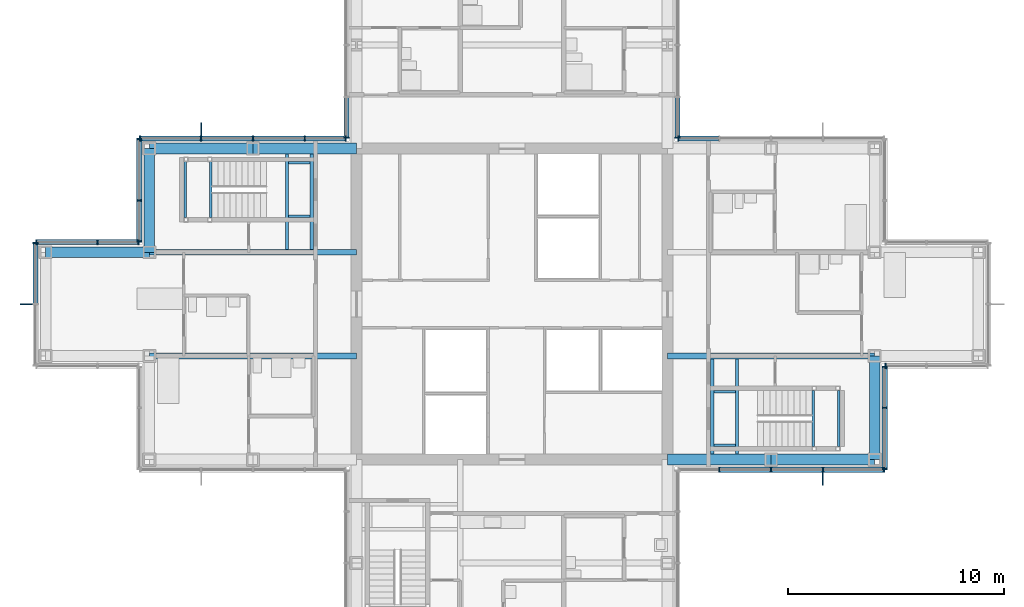
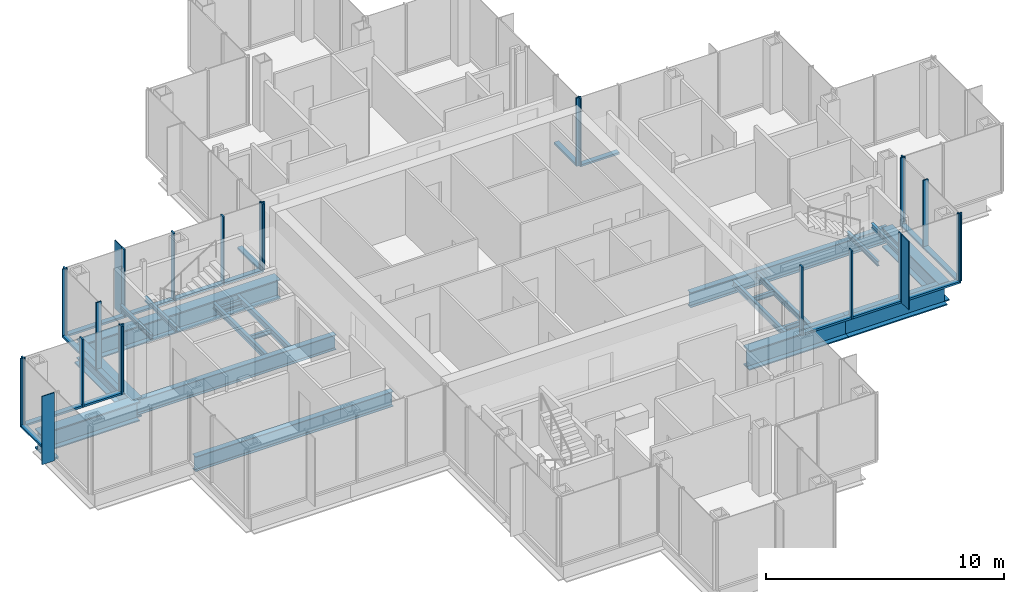
# One storey, part 7 of 17: 43 members, 22 beams, 10 elements without a shape of their own.
"""IFC4 building model written with IfcOpenShell, lengths in metres."""

import ifcopenshell
import ifcopenshell.guid

model = None  # the IFC model being written
_history = None  # IfcOwnerHistory: only IFC2X3 demands one
_inside = {}  # id of a spatial element -> (the spatial element, [elements in it])
_under = {}  # id of a project, library or spatial element -> (it, [spatial elements below it])
_declared = {}  # id of a project -> (the project, [libraries it declares])
_typed = {}  # id of a type object -> (the type object, [elements of that type])
_made_of = {}  # id of a material, layer set ... -> (it, [elements and type objects made of it])


def new_model(schema):
    """Start an empty IFC model of exactly this schema.

    Asked for "IFC4X3", IfcOpenShell would pick the latest addendum, in which some entities
    have other attributes; the version numbers below select the first issue.
    IFC2X3 requires an IfcOwnerHistory on every rooted entity: one is made here for all.
    """
    global model, _history
    if schema == "IFC4X3":
        model = ifcopenshell.file(schema_version=(4, 3, 0, 0))
    else:
        model = ifcopenshell.file(schema=schema)
    _inside.clear()
    _under.clear()
    _declared.clear()
    _typed.clear()
    _made_of.clear()
    _history = None
    if model.schema == "IFC2X3":
        org = make("IfcOrganization", Name="unknown")
        user = make(
            "IfcPersonAndOrganization",
            ThePerson=make("IfcPerson", FamilyName="unknown"),
            TheOrganization=org,
        )
        app = make(
            "IfcApplication",
            ApplicationDeveloper=org,
            Version="unknown",
            ApplicationFullName="unknown",
            ApplicationIdentifier="unknown",
        )
        _history = make(
            "IfcOwnerHistory",
            OwningUser=user,
            OwningApplication=app,
            ChangeAction="ADDED",
            CreationDate=0,
        )
    return model


def make(cls, **values):
    """One entity of the class cls with the attributes given. An attribute that is None is left unset."""
    return model.create_entity(
        cls, **{name: value for name, value in values.items() if value is not None}
    )


def rooted(cls, **values):
    """An entity with a GlobalId (a new one), such as an element, a storey or a relation."""
    return make(cls, GlobalId=ifcopenshell.guid.new(), OwnerHistory=_history, **values)


def si_unit(unit_type, name, prefix=None):
    """IfcSIUnit, for example si_unit("LENGTHUNIT", "METRE", prefix="MILLI")."""
    return make("IfcSIUnit", UnitType=unit_type, Prefix=prefix, Name=name)


def assignment(units):
    """IfcUnitAssignment: the units of a project."""
    return None if units is None else make("IfcUnitAssignment", Units=units)


def point(xyz):
    """IfcCartesianPoint."""
    return None if xyz is None else make("IfcCartesianPoint", Coordinates=xyz)


def direction(xyz):
    """IfcDirection."""
    return None if xyz is None else make("IfcDirection", DirectionRatios=xyz)


def frame(location, z_axis=None, x_axis=None):
    """IfcAxis2Placement3D, a coordinate frame: its origin and axes. An axis left out is left unset."""
    return make(
        "IfcAxis2Placement3D",
        Location=point(location),
        Axis=direction(z_axis),
        RefDirection=direction(x_axis),
    )


def frame_2d(location, x_axis=None):
    """IfcAxis2Placement2D, a coordinate frame in the plane: its origin and x axis."""
    return make(
        "IfcAxis2Placement2D", Location=point(location), RefDirection=direction(x_axis)
    )


def origin():
    """The frame at (0, 0, 0) with its axes left unset."""
    return frame((0.0, 0.0, 0.0))


def origin_2d():
    """The frame at (0, 0) in the plane with its x axis left unset."""
    return frame_2d((0.0, 0.0))


def place(relative_to, where):
    """IfcLocalPlacement: puts the frame where relative to a parent placement (None: the world)."""
    return make(
        "IfcLocalPlacement", PlacementRelTo=relative_to, RelativePlacement=where
    )


def context(
    kind, dimensions, precision=None, world=None, true_north=None, identifier=None
):
    """IfcGeometricRepresentationContext, for example the 3D "Model" context."""
    return make(
        "IfcGeometricRepresentationContext",
        ContextIdentifier=identifier,
        ContextType=kind,
        CoordinateSpaceDimension=dimensions,
        Precision=precision,
        WorldCoordinateSystem=world,
        TrueNorth=true_north,
    )


def subcontext(parent, identifier, kind, view, scale=None):
    """IfcGeometricRepresentationSubContext, for example "Body" below "Model"."""
    return make(
        "IfcGeometricRepresentationSubContext",
        ContextIdentifier=identifier,
        ContextType=kind,
        ParentContext=parent,
        TargetScale=scale,
        TargetView=view,
    )


def project(units=None, contexts=None):
    """IfcProject with its units and contexts."""
    return rooted(
        "IfcProject",
        Name="project",
        RepresentationContexts=contexts,
        UnitsInContext=assignment(units),
    )


def spatial(cls, under=None, at=None, **own):
    """A site, building, storey or space (cls), placed at a placement, below another one or the project."""
    s = rooted(cls, ObjectPlacement=at, **own)
    if under is not None:
        _under.setdefault(under.id(), (under, []))[1].append(s)
    return s


def profile(cls, at=None, kind="AREA", **sizes):
    """A parametric profile (cls). Its sizes go by their IFC names, for example OverallWidth=200.0."""
    return make(cls, ProfileType=kind, Position=at, **sizes)


def rectangle(**sizes):
    """IfcRectangleProfileDef."""
    return profile("IfcRectangleProfileDef", **sizes)


def i_section(**sizes):
    """IfcIShapeProfileDef."""
    return profile("IfcIShapeProfileDef", **sizes)


def extrude(swept, where, along, depth):
    """IfcExtrudedAreaSolid: the profile swept, set in the frame where, extruded along a direction by depth."""
    return make(
        "IfcExtrudedAreaSolid",
        SweptArea=swept,
        Position=where,
        ExtrudedDirection=direction(along),
        Depth=depth,
    )


def shape(context_of_items, identifier, shape_type, items):
    """IfcShapeRepresentation: the items that make up one representation, for example the "Body"."""
    return make(
        "IfcShapeRepresentation",
        ContextOfItems=context_of_items,
        RepresentationIdentifier=identifier,
        RepresentationType=shape_type,
        Items=items,
    )


def material(Name=None, Category=None):
    """IfcMaterial."""
    return make("IfcMaterial", Name=Name, Category=Category)


def material_profile(
    of_material, cross_section, Name=None, Category=None, Priority=None
):
    """IfcMaterialProfile: a cross section and its material."""
    return make(
        "IfcMaterialProfile",
        Name=Name,
        Material=of_material,
        Profile=cross_section,
        Priority=Priority,
        Category=Category,
    )


def profile_set(profiles, Name=None, composite=None):
    """IfcMaterialProfileSet."""
    return make(
        "IfcMaterialProfileSet",
        Name=Name,
        MaterialProfiles=profiles,
        CompositeProfile=composite,
    )


def made_of(thing, what):
    """Note that an element or type object is made of a material, layer set ...; save() writes the relation."""
    if what is not None:
        _made_of.setdefault(what.id(), (what, []))[1].append(thing)
    return thing


def type_object(cls, material=None, **own):
    """A type object (cls), such as IfcWallType, which elements share."""
    return made_of(rooted(cls, **own), material)


def element(
    cls,
    number,
    at=None,
    inside=None,
    cuts=None,
    type_object=None,
    material=None,
    context=None,
    identifier="Body",
    shape_type=None,
    held_by="IfcProductDefinitionShape",
    body=None,
    shapes=None,
    **own,
):
    """One element of the class cls, such as IfcWall. Its Tag is "e" and its number.

    at: its placement. inside: the storey or other place that contains it. cuts: it is an
    opening in that element (IfcRelVoidsElement). A single representation is given by context,
    identifier, shape_type and body (its items); several are given by shapes. held_by: the class
    of the entity that holds the representations. save() writes the other relations.
    """
    e = rooted(cls, Tag="e%d" % number, ObjectPlacement=at, **own)
    if body is not None:
        shapes = [shape(context, identifier, shape_type, body)]
    if shapes is not None:
        e.Representation = make(held_by, Representations=shapes)
    if inside is not None:
        _inside.setdefault(inside.id(), (inside, []))[1].append(e)
    if cuts is not None:
        rooted(
            "IfcRelVoidsElement", RelatingBuildingElement=cuts, RelatedOpeningElement=e
        )
    if type_object is not None:
        _typed.setdefault(type_object.id(), (type_object, []))[1].append(e)
    return made_of(e, material)


def aggregate(whole, parts):
    """IfcRelAggregates: a whole, such as a stair, and the parts it consists of."""
    return rooted("IfcRelAggregates", RelatingObject=whole, RelatedObjects=parts)


def save(model, path):
    """Write the relations noted so far, then the file.

    IfcRelAggregates (storeys below a building ...), IfcRelContainedInSpatialStructure (elements
    in a storey), IfcRelDefinesByType, IfcRelAssociatesMaterial and IfcRelDeclares: one each for
    every whole, place, type object, material and project.
    """
    for whole, parts in _under.values():
        aggregate(whole, parts)
    for where, things in _inside.values():
        rooted(
            "IfcRelContainedInSpatialStructure",
            RelatedElements=things,
            RelatingStructure=where,
        )
    for kind, things in _typed.values():
        rooted("IfcRelDefinesByType", RelatedObjects=things, RelatingType=kind)
    for what, things in _made_of.values():
        rooted("IfcRelAssociatesMaterial", RelatedObjects=things, RelatingMaterial=what)
    for by, libraries in _declared.values():
        rooted("IfcRelDeclares", RelatingContext=by, RelatedDefinitions=libraries)
    model.write(path)


model = new_model("IFC4")

# Units and contexts
model_context = context("Model", 3, precision=1e-05, world=origin(), true_north=direction((0.0, 1.0)))
body_context = subcontext(model_context, "Body", "Model", "MODEL_VIEW")
ifc_project = project(units=[si_unit("LENGTHUNIT", "METRE"), si_unit("AREAUNIT", "SQUARE_METRE"), si_unit("VOLUMEUNIT", "CUBIC_METRE"), si_unit("PLANEANGLEUNIT", "RADIAN"), si_unit("MASSUNIT", "GRAM", prefix="KILO")], contexts=[model_context])

# Site, building, storey
site_placement = place(None, origin())
site = spatial("IfcSite", under=ifc_project, at=site_placement, CompositionType="ELEMENT")
building_placement = place(site_placement, origin())
building = spatial("IfcBuilding", under=site, at=building_placement, Name="Kvirike Care Tower", CompositionType="ELEMENT")
storey_placement = place(building_placement, frame((0.0, 0.0, 144.5)))
storey = spatial("IfcBuildingStorey", under=building, at=storey_placement, Name="L39", CompositionType="ELEMENT", Elevation=144.5)

# Curtain wall, member
ifc_material_1 = material(Name="Anodised aluminium stick system", Category="aluminium")
curtain_wall_type = type_object("IfcCurtainWallType", Name="CW-C STICK CURTAIN WALL", PredefinedType="NOTDEFINED", material=ifc_material_1)
curtain_wall_1_placement = place(storey_placement, origin())
curtain_wall_1 = element("IfcCurtainWall", 1, at=curtain_wall_1_placement, inside=storey, type_object=curtain_wall_type, Name="Curtain wall L39 face 1", PredefinedType="NOTDEFINED")
ifc_material_2 = material(Name="Bronze anodised aluminium fin", Category="aluminium")
ifc_material_profile_1 = material_profile(ifc_material_2, rectangle(XDim=0.050048828125, YDim=0.60009765625, at=origin_2d()), Name="BRONZE FIN 600")
ifc_profile_set_1 = profile_set([ifc_material_profile_1], Name="Bronze anodised aluminium fin")
member_type_1 = type_object("IfcMemberType", Name="BRONZE FIN 600", PredefinedType="USERDEFINED", material=ifc_profile_set_1)
member_1_placement = place(storey_placement, frame((36.0, 27.909912109375, 0.0), z_axis=(0.0, 0.0, 1.0), x_axis=(1.0, 0.0, 0.0)))
member_1 = element("IfcMember", 2, at=member_1_placement, type_object=member_type_1, Name="Bronze fin L39 face 1.4", ObjectType="FIN", PredefinedType="USERDEFINED", context=body_context, shape_type="SweptSolid", body=[
    extrude(rectangle(XDim=0.050048828125, YDim=0.60009765625, at=origin_2d()), origin(), (0.0, 0.0, 1.0), 3.5),
])

curtain_wall_2_placement = place(storey_placement, origin())
curtain_wall_2 = element("IfcCurtainWall", 3, at=curtain_wall_2_placement, inside=storey, type_object=curtain_wall_type, Name="Curtain wall L39 face 15", PredefinedType="NOTDEFINED")
member_2_placement = place(storey_placement, frame((7.199951171875, 44.090087890625, 0.0), z_axis=(0.0, 0.0, 1.0), x_axis=(-1.0, 0.0, 0.0)))
member_2 = element("IfcMember", 4, at=member_2_placement, type_object=member_type_1, Name="Bronze fin L39 face 15.4", ObjectType="FIN", PredefinedType="USERDEFINED", context=body_context, shape_type="SweptSolid", body=[
    extrude(rectangle(XDim=0.050048828125, YDim=0.60009765625, at=origin_2d()), origin(), (0.0, 0.0, 1.0), 3.5),
])

curtain_wall_3_placement = place(storey_placement, origin())
curtain_wall_3 = element("IfcCurtainWall", 5, at=curtain_wall_3_placement, inside=storey, type_object=curtain_wall_type, Name="Curtain wall L39 face 18", PredefinedType="NOTDEFINED")
member_3_placement = place(storey_placement, frame((-0.889892578125, 36.0, 0.0), z_axis=(0.0, 0.0, 1.0), x_axis=(0.0, -1.0, 0.0)))
member_3 = element("IfcMember", 6, at=member_3_placement, type_object=member_type_1, Name="Bronze fin L39 face 18.2", ObjectType="FIN", PredefinedType="USERDEFINED", context=body_context, shape_type="SweptSolid", body=[
    extrude(rectangle(XDim=0.050048828125, YDim=0.60009765625, at=origin_2d()), origin(), (0.0, 0.0, 1.0), 3.5),
])

# Member
ifc_material_3 = material(Name="Bronze anodised aluminium mullion", Category="aluminium")
ifc_material_profile_2 = material_profile(ifc_material_3, rectangle(XDim=0.06494140625, YDim=0.239990234375, at=origin_2d()), Name="CW-C MULLION 65x240")
ifc_profile_set_2 = profile_set([ifc_material_profile_2], Name="Bronze anodised aluminium mullion")
member_type_2 = type_object("IfcMemberType", Name="CW-C MULLION 65x240", PredefinedType="MULLION", material=ifc_profile_set_2)
member_4_placement = place(storey_placement, frame((31.199951171875, 28.330078125, 0.0), z_axis=(0.0, 0.0, 1.0), x_axis=(1.0, 0.0, 0.0)))
member_4 = element("IfcMember", 7, at=member_4_placement, type_object=member_type_2, Name="CW-C mullion L39 face 1.2", PredefinedType="MULLION", context=body_context, shape_type="SweptSolid", body=[
    extrude(rectangle(XDim=0.06494140625, YDim=0.239990234375, at=origin_2d()), origin(), (0.0, 0.0, 1.0), 3.5),
])

member_5_placement = place(storey_placement, frame((33.60009765625, 28.330078125, 0.0), z_axis=(0.0, 0.0, 1.0), x_axis=(1.0, 0.0, 0.0)))
member_5 = element("IfcMember", 8, at=member_5_placement, type_object=member_type_2, Name="CW-C mullion L39 face 1.3", PredefinedType="MULLION", context=body_context, shape_type="SweptSolid", body=[
    extrude(rectangle(XDim=0.06494140625, YDim=0.239990234375, at=origin_2d()), origin(), (0.0, 0.0, 1.0), 3.5),
])

member_6_placement = place(storey_placement, frame((36.0, 28.330078125, 0.0), z_axis=(0.0, 0.0, 1.0), x_axis=(1.0, 0.0, 0.0)))
member_6 = element("IfcMember", 9, at=member_6_placement, type_object=member_type_2, Name="CW-C mullion L39 face 1.4", PredefinedType="MULLION", context=body_context, shape_type="SweptSolid", body=[
    extrude(rectangle(XDim=0.06494140625, YDim=0.239990234375, at=origin_2d()), origin(), (0.0, 0.0, 1.0), 3.5),
])

member_7_placement = place(storey_placement, frame((38.83740234375, 28.330078125, 0.0), z_axis=(0.0, 0.0, 1.0), x_axis=(1.0, 0.0, 0.0)))
member_7 = element("IfcMember", 10, at=member_7_placement, type_object=member_type_2, Name="CW-C mullion L39 face 1.5", PredefinedType="MULLION", context=body_context, shape_type="SweptSolid", body=[
    extrude(rectangle(XDim=0.06494140625, YDim=0.239990234375, at=origin_2d()), origin(), (0.0, 0.0, 1.0), 3.5),
])

# Curtain wall, members
curtain_wall_4_placement = place(storey_placement, origin())
curtain_wall_4 = element("IfcCurtainWall", 11, at=curtain_wall_4_placement, inside=storey, type_object=curtain_wall_type, Name="Curtain wall L39 face 2", PredefinedType="NOTDEFINED")
member_8_placement = place(storey_placement, frame((38.8701171875, 28.362548828125, 0.0), z_axis=(0.0, 0.0, 1.0), x_axis=(0.0, 1.0, 0.0)))
member_8 = element("IfcMember", 12, at=member_8_placement, type_object=member_type_2, Name="CW-C mullion L39 face 2.1", PredefinedType="MULLION", context=body_context, shape_type="SweptSolid", body=[
    extrude(rectangle(XDim=0.06494140625, YDim=0.239990234375, at=origin_2d()), origin(), (0.0, 0.0, 1.0), 3.5),
])
member_9_placement = place(storey_placement, frame((38.8701171875, 31.199951171875, 0.0), z_axis=(0.0, 0.0, 1.0), x_axis=(0.0, 1.0, 0.0)))
member_9 = element("IfcMember", 13, at=member_9_placement, type_object=member_type_2, Name="CW-C mullion L39 face 2.2", PredefinedType="MULLION", context=body_context, shape_type="SweptSolid", body=[
    extrude(rectangle(XDim=0.06494140625, YDim=0.239990234375, at=origin_2d()), origin(), (0.0, 0.0, 1.0), 3.5),
])
member_10_placement = place(storey_placement, frame((38.8701171875, 33.097412109375, 0.0), z_axis=(0.0, 0.0, 1.0), x_axis=(0.0, 1.0, 0.0)))
member_10 = element("IfcMember", 14, at=member_10_placement, type_object=member_type_2, Name="CW-C mullion L39 face 2.3", PredefinedType="MULLION", context=body_context, shape_type="SweptSolid", body=[
    extrude(rectangle(XDim=0.06494140625, YDim=0.239990234375, at=origin_2d()), origin(), (0.0, 0.0, 1.0), 3.5),
])

# Curtain wall, member
curtain_wall_5_placement = place(storey_placement, origin())
curtain_wall_5 = element("IfcCurtainWall", 15, at=curtain_wall_5_placement, inside=storey, type_object=curtain_wall_type, Name="Curtain wall L39 face 3", PredefinedType="NOTDEFINED")
member_11_placement = place(storey_placement, frame((38.902587890625, 33.1298828125, 0.0), z_axis=(0.0, 0.0, 1.0), x_axis=(1.0, 0.0, 0.0)))
member_11 = element("IfcMember", 16, at=member_11_placement, type_object=member_type_2, Name="CW-C mullion L39 face 3.1", PredefinedType="MULLION", context=body_context, shape_type="SweptSolid", body=[
    extrude(rectangle(XDim=0.06494140625, YDim=0.239990234375, at=origin_2d()), origin(), (0.0, 0.0, 1.0), 3.5),
])
aggregate(curtain_wall_5, [member_11])

curtain_wall_6_placement = place(storey_placement, origin())
curtain_wall_6 = element("IfcCurtainWall", 17, at=curtain_wall_6_placement, inside=storey, type_object=curtain_wall_type, Name="Curtain wall L39 face 7", PredefinedType="NOTDEFINED")
member_12_placement = place(storey_placement, frame((29.302490234375, 43.669921875, 0.0), z_axis=(0.0, 0.0, 1.0), x_axis=(-1.0, 0.0, 0.0)))
member_12 = element("IfcMember", 18, at=member_12_placement, type_object=member_type_2, Name="CW-C mullion L39 face 7.5", PredefinedType="MULLION", context=body_context, shape_type="SweptSolid", body=[
    extrude(rectangle(XDim=0.06494140625, YDim=0.239990234375, at=origin_2d()), origin(), (0.0, 0.0, 1.0), 3.5),
])

curtain_wall_7_placement = place(storey_placement, origin())
curtain_wall_7 = element("IfcCurtainWall", 19, at=curtain_wall_7_placement, inside=storey, type_object=curtain_wall_type, Name="Curtain wall L39 face 8", PredefinedType="NOTDEFINED")
member_13_placement = place(storey_placement, frame((29.27001953125, 43.702392578125, 0.0), z_axis=(0.0, 0.0, 1.0), x_axis=(0.0, 1.0, 0.0)))
member_13 = element("IfcMember", 20, at=member_13_placement, type_object=member_type_2, Name="CW-C mullion L39 face 8.1", PredefinedType="MULLION", context=body_context, shape_type="SweptSolid", body=[
    extrude(rectangle(XDim=0.06494140625, YDim=0.239990234375, at=origin_2d()), origin(), (0.0, 0.0, 1.0), 3.5),
])

curtain_wall_8_placement = place(storey_placement, origin())
curtain_wall_8 = element("IfcCurtainWall", 21, at=curtain_wall_8_placement, inside=storey, type_object=curtain_wall_type, Name="Curtain wall L39 face 14", PredefinedType="NOTDEFINED")
member_14_placement = place(storey_placement, frame((13.929931640625, 43.702392578125, 0.0), z_axis=(0.0, 0.0, 1.0), x_axis=(0.0, -1.0, 0.0)))
member_14 = element("IfcMember", 22, at=member_14_placement, type_object=member_type_2, Name="CW-C mullion L39 face 14.5", PredefinedType="MULLION", context=body_context, shape_type="SweptSolid", body=[
    extrude(rectangle(XDim=0.06494140625, YDim=0.239990234375, at=origin_2d()), origin(), (0.0, 0.0, 1.0), 3.5),
])

# Member
member_15_placement = place(storey_placement, frame((13.8974609375, 43.669921875, 0.0), z_axis=(0.0, 0.0, 1.0), x_axis=(-1.0, 0.0, 0.0)))
member_15 = element("IfcMember", 23, at=member_15_placement, type_object=member_type_2, Name="CW-C mullion L39 face 15.1", PredefinedType="MULLION", context=body_context, shape_type="SweptSolid", body=[
    extrude(rectangle(XDim=0.06494140625, YDim=0.239990234375, at=origin_2d()), origin(), (0.0, 0.0, 1.0), 3.5),
])

member_16_placement = place(storey_placement, frame((12.0, 43.669921875, 0.0), z_axis=(0.0, 0.0, 1.0), x_axis=(-1.0, 0.0, 0.0)))
member_16 = element("IfcMember", 24, at=member_16_placement, type_object=member_type_2, Name="CW-C mullion L39 face 15.2", PredefinedType="MULLION", context=body_context, shape_type="SweptSolid", body=[
    extrude(rectangle(XDim=0.06494140625, YDim=0.239990234375, at=origin_2d()), origin(), (0.0, 0.0, 1.0), 3.5),
])

member_17_placement = place(storey_placement, frame((9.60009765625, 43.669921875, 0.0), z_axis=(0.0, 0.0, 1.0), x_axis=(-1.0, 0.0, 0.0)))
member_17 = element("IfcMember", 25, at=member_17_placement, type_object=member_type_2, Name="CW-C mullion L39 face 15.3", PredefinedType="MULLION", context=body_context, shape_type="SweptSolid", body=[
    extrude(rectangle(XDim=0.06494140625, YDim=0.239990234375, at=origin_2d()), origin(), (0.0, 0.0, 1.0), 3.5),
])

member_18_placement = place(storey_placement, frame((7.199951171875, 43.669921875, 0.0), z_axis=(0.0, 0.0, 1.0), x_axis=(-1.0, 0.0, 0.0)))
member_18 = element("IfcMember", 26, at=member_18_placement, type_object=member_type_2, Name="CW-C mullion L39 face 15.4", PredefinedType="MULLION", context=body_context, shape_type="SweptSolid", body=[
    extrude(rectangle(XDim=0.06494140625, YDim=0.239990234375, at=origin_2d()), origin(), (0.0, 0.0, 1.0), 3.5),
])

member_19_placement = place(storey_placement, frame((4.362548828125, 43.669921875, 0.0), z_axis=(0.0, 0.0, 1.0), x_axis=(-1.0, 0.0, 0.0)))
member_19 = element("IfcMember", 27, at=member_19_placement, type_object=member_type_2, Name="CW-C mullion L39 face 15.5", PredefinedType="MULLION", context=body_context, shape_type="SweptSolid", body=[
    extrude(rectangle(XDim=0.06494140625, YDim=0.239990234375, at=origin_2d()), origin(), (0.0, 0.0, 1.0), 3.5),
])

# Curtain wall, members
curtain_wall_9_placement = place(storey_placement, origin())
curtain_wall_9 = element("IfcCurtainWall", 28, at=curtain_wall_9_placement, inside=storey, type_object=curtain_wall_type, Name="Curtain wall L39 face 16", PredefinedType="NOTDEFINED")
member_20_placement = place(storey_placement, frame((4.330078125, 43.637451171875, 0.0), z_axis=(0.0, 0.0, 1.0), x_axis=(0.0, -1.0, 0.0)))
member_20 = element("IfcMember", 29, at=member_20_placement, type_object=member_type_2, Name="CW-C mullion L39 face 16.1", PredefinedType="MULLION", context=body_context, shape_type="SweptSolid", body=[
    extrude(rectangle(XDim=0.06494140625, YDim=0.239990234375, at=origin_2d()), origin(), (0.0, 0.0, 1.0), 3.5),
])
member_21_placement = place(storey_placement, frame((4.330078125, 40.800048828125, 0.0), z_axis=(0.0, 0.0, 1.0), x_axis=(0.0, -1.0, 0.0)))
member_21 = element("IfcMember", 30, at=member_21_placement, type_object=member_type_2, Name="CW-C mullion L39 face 16.2", PredefinedType="MULLION", context=body_context, shape_type="SweptSolid", body=[
    extrude(rectangle(XDim=0.06494140625, YDim=0.239990234375, at=origin_2d()), origin(), (0.0, 0.0, 1.0), 3.5),
])
member_22_placement = place(storey_placement, frame((4.330078125, 38.902587890625, 0.0), z_axis=(0.0, 0.0, 1.0), x_axis=(0.0, -1.0, 0.0)))
member_22 = element("IfcMember", 31, at=member_22_placement, type_object=member_type_2, Name="CW-C mullion L39 face 16.3", PredefinedType="MULLION", context=body_context, shape_type="SweptSolid", body=[
    extrude(rectangle(XDim=0.06494140625, YDim=0.239990234375, at=origin_2d()), origin(), (0.0, 0.0, 1.0), 3.5),
])

curtain_wall_10_placement = place(storey_placement, origin())
curtain_wall_10 = element("IfcCurtainWall", 32, at=curtain_wall_10_placement, inside=storey, type_object=curtain_wall_type, Name="Curtain wall L39 face 17", PredefinedType="NOTDEFINED")
member_23_placement = place(storey_placement, frame((4.297607421875, 38.8701171875, 0.0), z_axis=(0.0, 0.0, 1.0), x_axis=(-1.0, 0.0, 0.0)))
member_23 = element("IfcMember", 33, at=member_23_placement, type_object=member_type_2, Name="CW-C mullion L39 face 17.1", PredefinedType="MULLION", context=body_context, shape_type="SweptSolid", body=[
    extrude(rectangle(XDim=0.06494140625, YDim=0.239990234375, at=origin_2d()), origin(), (0.0, 0.0, 1.0), 3.5),
])
member_24_placement = place(storey_placement, frame((2.39990234375, 38.8701171875, 0.0), z_axis=(0.0, 0.0, 1.0), x_axis=(-1.0, 0.0, 0.0)))
member_24 = element("IfcMember", 34, at=member_24_placement, type_object=member_type_2, Name="CW-C mullion L39 face 17.2", PredefinedType="MULLION", context=body_context, shape_type="SweptSolid", body=[
    extrude(rectangle(XDim=0.06494140625, YDim=0.239990234375, at=origin_2d()), origin(), (0.0, 0.0, 1.0), 3.5),
])
member_25_placement = place(storey_placement, frame((-0.4375, 38.8701171875, 0.0), z_axis=(0.0, 0.0, 1.0), x_axis=(-1.0, 0.0, 0.0)))
member_25 = element("IfcMember", 35, at=member_25_placement, type_object=member_type_2, Name="CW-C mullion L39 face 17.3", PredefinedType="MULLION", context=body_context, shape_type="SweptSolid", body=[
    extrude(rectangle(XDim=0.06494140625, YDim=0.239990234375, at=origin_2d()), origin(), (0.0, 0.0, 1.0), 3.5),
])

# Member
member_26_placement = place(storey_placement, frame((-0.469970703125, 38.83740234375, 0.0), z_axis=(0.0, 0.0, 1.0), x_axis=(0.0, -1.0, 0.0)))
member_26 = element("IfcMember", 36, at=member_26_placement, type_object=member_type_2, Name="CW-C mullion L39 face 18.1", PredefinedType="MULLION", context=body_context, shape_type="SweptSolid", body=[
    extrude(rectangle(XDim=0.06494140625, YDim=0.239990234375, at=origin_2d()), origin(), (0.0, 0.0, 1.0), 3.5),
])

ifc_material_4 = material(Name="Bronze anodised aluminium transom", Category="aluminium")
ifc_material_profile_3 = material_profile(ifc_material_4, rectangle(XDim=0.239990234375, YDim=0.10009765625, at=origin_2d()), Name="CW-C TRANSOM 240x100")
ifc_profile_set_3 = profile_set([ifc_material_profile_3], Name="Bronze anodised aluminium transom")
member_type_3 = type_object("IfcMemberType", Name="CW-C TRANSOM 240x100", PredefinedType="USERDEFINED", material=ifc_profile_set_3)
member_27_placement = place(storey_placement, frame((31.232421875, 28.330078125, 0.050048828125), z_axis=(1.0, 0.0, 0.0), x_axis=(0.0, 1.0, 0.0)))
member_27 = element("IfcMember", 37, at=member_27_placement, type_object=member_type_3, Name="CW-C sill transom L39 face 1.2", ObjectType="TRANSOM", PredefinedType="USERDEFINED", context=body_context, shape_type="SweptSolid", body=[
    extrude(rectangle(XDim=0.239990234375, YDim=0.10009765625, at=origin_2d()), origin(), (0.0, 0.0, 1.0), 2.3349609375),
])

member_28_placement = place(storey_placement, frame((33.632568359375, 28.330078125, 0.050048828125), z_axis=(1.0, 0.0, 0.0), x_axis=(0.0, 1.0, 0.0)))
member_28 = element("IfcMember", 38, at=member_28_placement, type_object=member_type_3, Name="CW-C sill transom L39 face 1.3", ObjectType="TRANSOM", PredefinedType="USERDEFINED", context=body_context, shape_type="SweptSolid", body=[
    extrude(rectangle(XDim=0.239990234375, YDim=0.10009765625, at=origin_2d()), origin(), (0.0, 0.0, 1.0), 2.3349609375),
])

member_29_placement = place(storey_placement, frame((36.032470703125, 28.330078125, 0.050048828125), z_axis=(1.0, 0.0, 0.0), x_axis=(0.0, 1.0, 0.0)))
member_29 = element("IfcMember", 39, at=member_29_placement, type_object=member_type_3, Name="CW-C sill transom L39 face 1.4", ObjectType="TRANSOM", PredefinedType="USERDEFINED", context=body_context, shape_type="SweptSolid", body=[
    extrude(rectangle(XDim=0.239990234375, YDim=0.10009765625, at=origin_2d()), origin(), (0.0, 0.0, 1.0), 2.7724609375),
])

aggregate(curtain_wall_1, [member_4, member_5, member_6, member_1, member_7, member_27, member_28, member_29])

member_30_placement = place(storey_placement, frame((38.8701171875, 28.39501953125, 0.050048828125), z_axis=(0.0, 1.0, 0.0), x_axis=(-1.0, 0.0, 0.0)))
member_30 = element("IfcMember", 40, at=member_30_placement, type_object=member_type_3, Name="CW-C sill transom L39 face 2.1", ObjectType="TRANSOM", PredefinedType="USERDEFINED", context=body_context, shape_type="SweptSolid", body=[
    extrude(rectangle(XDim=0.239990234375, YDim=0.10009765625, at=origin_2d()), origin(), (0.0, 0.0, 1.0), 2.7724609375),
])

member_31_placement = place(storey_placement, frame((38.8701171875, 31.232421875, 0.050048828125), z_axis=(0.0, 1.0, 0.0), x_axis=(-1.0, 0.0, 0.0)))
member_31 = element("IfcMember", 41, at=member_31_placement, type_object=member_type_3, Name="CW-C sill transom L39 face 2.2", ObjectType="TRANSOM", PredefinedType="USERDEFINED", context=body_context, shape_type="SweptSolid", body=[
    extrude(rectangle(XDim=0.239990234375, YDim=0.10009765625, at=origin_2d()), origin(), (0.0, 0.0, 1.0), 1.83251953125),
])

aggregate(curtain_wall_4, [member_8, member_9, member_10, member_30, member_31])

member_32_placement = place(storey_placement, frame((31.16748046875, 43.669921875, 0.050048828125), z_axis=(-1.0, 0.0, 0.0), x_axis=(0.0, -1.0, 0.0)))
member_32 = element("IfcMember", 42, at=member_32_placement, type_object=member_type_3, Name="CW-C sill transom L39 face 7.4", ObjectType="TRANSOM", PredefinedType="USERDEFINED", context=body_context, shape_type="SweptSolid", body=[
    extrude(rectangle(XDim=0.239990234375, YDim=0.10009765625, at=origin_2d()), origin(), (0.0, 0.0, 1.0), 1.83251953125),
])

aggregate(curtain_wall_6, [member_12, member_32])

member_33_placement = place(storey_placement, frame((29.27001953125, 43.735107421875, 0.050048828125), z_axis=(0.0, 1.0, 0.0), x_axis=(-1.0, 0.0, 0.0)))
member_33 = element("IfcMember", 43, at=member_33_placement, type_object=member_type_3, Name="CW-C sill transom L39 face 8.1", ObjectType="TRANSOM", PredefinedType="USERDEFINED", context=body_context, shape_type="SweptSolid", body=[
    extrude(rectangle(XDim=0.239990234375, YDim=0.10009765625, at=origin_2d()), origin(), (0.0, 0.0, 1.0), 1.832275390625),
])

aggregate(curtain_wall_7, [member_13, member_33])

member_34_placement = place(storey_placement, frame((13.929931640625, 45.5673828125, 0.050048828125), z_axis=(0.0, -1.0, 0.0), x_axis=(1.0, 0.0, 0.0)))
member_34 = element("IfcMember", 44, at=member_34_placement, type_object=member_type_3, Name="CW-C sill transom L39 face 14.4", ObjectType="TRANSOM", PredefinedType="USERDEFINED", context=body_context, shape_type="SweptSolid", body=[
    extrude(rectangle(XDim=0.239990234375, YDim=0.10009765625, at=origin_2d()), origin(), (0.0, 0.0, 1.0), 1.832275390625),
])

aggregate(curtain_wall_8, [member_14, member_34])

member_35_placement = place(storey_placement, frame((13.864990234375, 43.669921875, 0.050048828125), z_axis=(-1.0, 0.0, 0.0), x_axis=(0.0, -1.0, 0.0)))
member_35 = element("IfcMember", 45, at=member_35_placement, type_object=member_type_3, Name="CW-C sill transom L39 face 15.1", ObjectType="TRANSOM", PredefinedType="USERDEFINED", context=body_context, shape_type="SweptSolid", body=[
    extrude(rectangle(XDim=0.239990234375, YDim=0.10009765625, at=origin_2d()), origin(), (0.0, 0.0, 1.0), 1.83251953125),
])

member_36_placement = place(storey_placement, frame((11.967529296875, 43.669921875, 0.050048828125), z_axis=(-1.0, 0.0, 0.0), x_axis=(0.0, -1.0, 0.0)))
member_36 = element("IfcMember", 46, at=member_36_placement, type_object=member_type_3, Name="CW-C sill transom L39 face 15.2", ObjectType="TRANSOM", PredefinedType="USERDEFINED", context=body_context, shape_type="SweptSolid", body=[
    extrude(rectangle(XDim=0.239990234375, YDim=0.10009765625, at=origin_2d()), origin(), (0.0, 0.0, 1.0), 2.3349609375),
])

member_37_placement = place(storey_placement, frame((9.5673828125, 43.669921875, 0.050048828125), z_axis=(-1.0, 0.0, 0.0), x_axis=(0.0, -1.0, 0.0)))
member_37 = element("IfcMember", 47, at=member_37_placement, type_object=member_type_3, Name="CW-C sill transom L39 face 15.3", ObjectType="TRANSOM", PredefinedType="USERDEFINED", context=body_context, shape_type="SweptSolid", body=[
    extrude(rectangle(XDim=0.239990234375, YDim=0.10009765625, at=origin_2d()), origin(), (0.0, 0.0, 1.0), 2.3349609375),
])

member_38_placement = place(storey_placement, frame((7.16748046875, 43.669921875, 0.050048828125), z_axis=(-1.0, 0.0, 0.0), x_axis=(0.0, -1.0, 0.0)))
member_38 = element("IfcMember", 48, at=member_38_placement, type_object=member_type_3, Name="CW-C sill transom L39 face 15.4", ObjectType="TRANSOM", PredefinedType="USERDEFINED", context=body_context, shape_type="SweptSolid", body=[
    extrude(rectangle(XDim=0.239990234375, YDim=0.10009765625, at=origin_2d()), origin(), (0.0, 0.0, 1.0), 2.7724609375),
])

aggregate(curtain_wall_2, [member_15, member_16, member_17, member_18, member_2, member_19, member_35, member_36, member_37, member_38])

member_39_placement = place(storey_placement, frame((4.330078125, 43.60498046875, 0.050048828125), z_axis=(0.0, -1.0, 0.0), x_axis=(1.0, 0.0, 0.0)))
member_39 = element("IfcMember", 49, at=member_39_placement, type_object=member_type_3, Name="CW-C sill transom L39 face 16.1", ObjectType="TRANSOM", PredefinedType="USERDEFINED", context=body_context, shape_type="SweptSolid", body=[
    extrude(rectangle(XDim=0.239990234375, YDim=0.10009765625, at=origin_2d()), origin(), (0.0, 0.0, 1.0), 2.7724609375),
])

member_40_placement = place(storey_placement, frame((4.330078125, 40.767578125, 0.050048828125), z_axis=(0.0, -1.0, 0.0), x_axis=(1.0, 0.0, 0.0)))
member_40 = element("IfcMember", 50, at=member_40_placement, type_object=member_type_3, Name="CW-C sill transom L39 face 16.2", ObjectType="TRANSOM", PredefinedType="USERDEFINED", context=body_context, shape_type="SweptSolid", body=[
    extrude(rectangle(XDim=0.239990234375, YDim=0.10009765625, at=origin_2d()), origin(), (0.0, 0.0, 1.0), 1.83251953125),
])

aggregate(curtain_wall_9, [member_20, member_21, member_22, member_39, member_40])

member_41_placement = place(storey_placement, frame((4.264892578125, 38.8701171875, 0.050048828125), z_axis=(-1.0, 0.0, 0.0), x_axis=(0.0, -1.0, 0.0)))
member_41 = element("IfcMember", 51, at=member_41_placement, type_object=member_type_3, Name="CW-C sill transom L39 face 17.1", ObjectType="TRANSOM", PredefinedType="USERDEFINED", context=body_context, shape_type="SweptSolid", body=[
    extrude(rectangle(XDim=0.239990234375, YDim=0.10009765625, at=origin_2d()), origin(), (0.0, 0.0, 1.0), 1.832275390625),
])

member_42_placement = place(storey_placement, frame((2.367431640625, 38.8701171875, 0.050048828125), z_axis=(-1.0, 0.0, 0.0), x_axis=(0.0, -1.0, 0.0)))
member_42 = element("IfcMember", 52, at=member_42_placement, type_object=member_type_3, Name="CW-C sill transom L39 face 17.2", ObjectType="TRANSOM", PredefinedType="USERDEFINED", context=body_context, shape_type="SweptSolid", body=[
    extrude(rectangle(XDim=0.239990234375, YDim=0.10009765625, at=origin_2d()), origin(), (0.0, 0.0, 1.0), 2.7724609375),
])

aggregate(curtain_wall_10, [member_23, member_24, member_25, member_41, member_42])

member_43_placement = place(storey_placement, frame((-0.469970703125, 38.804931640625, 0.050048828125), z_axis=(0.0, -1.0, 0.0), x_axis=(1.0, 0.0, 0.0)))
member_43 = element("IfcMember", 53, at=member_43_placement, type_object=member_type_3, Name="CW-C sill transom L39 face 18.1", ObjectType="TRANSOM", PredefinedType="USERDEFINED", context=body_context, shape_type="SweptSolid", body=[
    extrude(rectangle(XDim=0.239990234375, YDim=0.10009765625, at=origin_2d()), origin(), (0.0, 0.0, 1.0), 2.7724609375),
])

aggregate(curtain_wall_3, [member_26, member_3, member_43])

# Beams
ifc_material_5 = material(Name="Steel S355", Category="steel")
ifc_material_profile_4 = material_profile(ifc_material_5, i_section(OverallWidth=0.26806640625, OverallDepth=0.77001953125, WebThickness=0.015625, FlangeThickness=0.025390625, FilletRadius=0.01708984375, at=origin_2d()), Name="IPE 750x196")
ifc_profile_set_4 = profile_set([ifc_material_profile_4], Name="Steel S355")
beam_type_1 = type_object("IfcBeamType", Name="FLOOR BEAM IPE 750x196", PredefinedType="BEAM", material=ifc_profile_set_4)
for number, where, z_axis, x_axis, name in (
    (54, (4.800048828125, 33.60009765625, -0.554931640625), (1.0, 0.0, 0.0), (0.0, 1.0, 0.0), "Floor Beam H4-H6 L39"),
    (55, (28.800048828125, 33.60009765625, -0.554931640625), (1.0, 0.0, 0.0), (0.0, 1.0, 0.0), "Floor Beam H9-H11 L39"),
    (56, (4.800048828125, 38.39990234375, -0.554931640625), (1.0, 0.0, 0.0), (0.0, 1.0, 0.0), "Floor Beam J4-J6 L39"),
):
    element("IfcBeam", number, at=place(storey_placement, frame(where, z_axis=z_axis, x_axis=x_axis)), inside=storey, type_object=beam_type_1, Name=name, PredefinedType="BEAM", context=body_context, shape_type="SweptSolid", body=[
        extrude(i_section(OverallWidth=0.26806640625, OverallDepth=0.77001953125, WebThickness=0.015625, FlangeThickness=0.025390625, FilletRadius=0.01708984375, at=origin_2d()), origin(), (0.0, 0.0, 1.0), 9.599853515625),
    ])
ifc_material_6 = material(Name="Steel S355", Category="steel")
ifc_material_profile_5 = material_profile(ifc_material_6, i_section(OverallWidth=0.5, OverallDepth=1.0, WebThickness=0.030029296875, FlangeThickness=0.06005859375, at=origin_2d()), Name="PG 1000x500x30x60")
ifc_profile_set_5 = profile_set([ifc_material_profile_5], Name="Steel S355")
beam_type_2 = type_object("IfcBeamType", Name="SPANDREL PG 1000x500x30x60", PredefinedType="SPANDREL", material=ifc_profile_set_5)
beam_1_placement = place(storey_placement, frame((28.800048828125, 28.800048828125, -0.669921875), z_axis=(1.0, 0.0, 0.0), x_axis=(0.0, 1.0, 0.0)))
element("IfcBeam", 57, at=beam_1_placement, inside=storey, type_object=beam_type_2, Name="Spandrel G9-G10 L39", PredefinedType="SPANDREL", context=body_context, shape_type="SweptSolid", body=[
    extrude(i_section(OverallWidth=0.5, OverallDepth=1.0, WebThickness=0.030029296875, FlangeThickness=0.06005859375, at=origin_2d()), origin(), (0.0, 0.0, 1.0), 4.800048828125),
])
beam_2_placement = place(storey_placement, frame((33.60009765625, 28.800048828125, -0.669921875), z_axis=(1.0, 0.0, 0.0), x_axis=(0.0, 1.0, 0.0)))
element("IfcBeam", 58, at=beam_2_placement, inside=storey, type_object=beam_type_2, Name="Spandrel G10-G11 L39", PredefinedType="SPANDREL", context=body_context, shape_type="SweptSolid", body=[
    extrude(i_section(OverallWidth=0.5, OverallDepth=1.0, WebThickness=0.030029296875, FlangeThickness=0.06005859375, at=origin_2d()), origin(), (0.0, 0.0, 1.0), 4.7998046875),
])
for number, where, z_axis, x_axis, name in (
    (59, (0.0, 38.39990234375, -0.669921875), (1.0, 0.0, 0.0), (0.0, 1.0, 0.0), "Spandrel J3-J4 L39"),
    (60, (4.800048828125, 43.199951171875, -0.669921875), (1.0, 0.0, 0.0), (0.0, 1.0, 0.0), "Spandrel K4-K5 L39"),
):
    element("IfcBeam", number, at=place(storey_placement, frame(where, z_axis=z_axis, x_axis=x_axis)), inside=storey, type_object=beam_type_2, Name=name, PredefinedType="SPANDREL", context=body_context, shape_type="SweptSolid", body=[
        extrude(i_section(OverallWidth=0.5, OverallDepth=1.0, WebThickness=0.030029296875, FlangeThickness=0.06005859375, at=origin_2d()), origin(), (0.0, 0.0, 1.0), 4.800048828125),
    ])
beam_3_placement = place(storey_placement, frame((9.60009765625, 43.199951171875, -0.669921875), z_axis=(1.0, 0.0, 0.0), x_axis=(0.0, 1.0, 0.0)))
element("IfcBeam", 61, at=beam_3_placement, inside=storey, type_object=beam_type_2, Name="Spandrel K5-K6 L39", PredefinedType="SPANDREL", context=body_context, shape_type="SweptSolid", body=[
    extrude(i_section(OverallWidth=0.5, OverallDepth=1.0, WebThickness=0.030029296875, FlangeThickness=0.06005859375, at=origin_2d()), origin(), (0.0, 0.0, 1.0), 4.7998046875),
])
for number, where, z_axis, x_axis, name in (
    (62, (4.800048828125, 38.39990234375, -0.669921875), (0.0, 1.0, 0.0), (-1.0, 0.0, 0.0), "Spandrel J4-K4 L39"),
    (63, (38.39990234375, 28.800048828125, -0.669921875), (0.0, 1.0, 0.0), (-1.0, 0.0, 0.0), "Spandrel G11-H11 L39"),
):
    element("IfcBeam", number, at=place(storey_placement, frame(where, z_axis=z_axis, x_axis=x_axis)), inside=storey, type_object=beam_type_2, Name=name, PredefinedType="SPANDREL", context=body_context, shape_type="SweptSolid", body=[
        extrude(i_section(OverallWidth=0.5, OverallDepth=1.0, WebThickness=0.030029296875, FlangeThickness=0.06005859375, at=origin_2d()), origin(), (0.0, 0.0, 1.0), 4.800048828125),
    ])
ifc_material_7 = material(Name="Steel S355", Category="steel")
ifc_material_profile_6 = material_profile(ifc_material_7, i_section(OverallWidth=0.1201171875, OverallDepth=0.239990234375, WebThickness=0.006103515625, FlangeThickness=0.009765625, FilletRadius=0.014892578125, at=origin_2d()), Name="IPE 240")
ifc_profile_set_6 = profile_set([ifc_material_profile_6], Name="Steel S355")
beam_type_3 = type_object("IfcBeamType", Name="STAIR LANDING BEAM IPE 240", PredefinedType="BEAM", material=ifc_profile_set_6)
for number, where, z_axis, x_axis, name in (
    (64, (6.4599609375, 42.60009765625, 1.429931640625), (0.0, -1.0, 0.0), (1.0, 0.0, 0.0), "Stair 1 landing beam back L39"),
    (65, (7.639892578125, 42.60009765625, 1.429931640625), (0.0, -1.0, 0.0), (1.0, 0.0, 0.0), "Stair 1 landing beam front L39"),
):
    element("IfcBeam", number, at=place(storey_placement, frame(where, z_axis=z_axis, x_axis=x_axis)), inside=storey, type_object=beam_type_3, Name=name, PredefinedType="BEAM", context=body_context, shape_type="SweptSolid", body=[
        extrude(i_section(OverallWidth=0.1201171875, OverallDepth=0.239990234375, WebThickness=0.006103515625, FlangeThickness=0.009765625, FilletRadius=0.014892578125, at=origin_2d()), origin(), (0.0, 0.0, 1.0), 2.60009765625),
    ])
for number, where, z_axis, x_axis, name in (
    (66, (11.25, 42.5400390625, -0.320068359375), (1.0, 0.0, 0.0), (0.0, 1.0, 0.0), "Stair 1 landing edge beam 1 L39"),
    (67, (11.25, 40.06005859375, -0.320068359375), (1.0, 0.0, 0.0), (0.0, 1.0, 0.0), "Stair 1 landing edge beam 2 L39"),
):
    element("IfcBeam", number, at=place(storey_placement, frame(where, z_axis=z_axis, x_axis=x_axis)), inside=storey, type_object=beam_type_3, Name=name, PredefinedType="BEAM", context=body_context, shape_type="SweptSolid", body=[
        extrude(i_section(OverallWidth=0.1201171875, OverallDepth=0.239990234375, WebThickness=0.006103515625, FlangeThickness=0.009765625, FilletRadius=0.014892578125, at=origin_2d()), origin(), (0.0, 0.0, 1.0), 1.0),
    ])
for number, where, z_axis, x_axis, name in (
    (68, (36.739990234375, 29.39990234375, 1.429931640625), (0.0, 1.0, 0.0), (-1.0, 0.0, 0.0), "Stair 2 landing beam back L39"),
    (69, (35.56005859375, 29.39990234375, 1.429931640625), (0.0, 1.0, 0.0), (-1.0, 0.0, 0.0), "Stair 2 landing beam front L39"),
):
    element("IfcBeam", number, at=place(storey_placement, frame(where, z_axis=z_axis, x_axis=x_axis)), inside=storey, type_object=beam_type_3, Name=name, PredefinedType="BEAM", context=body_context, shape_type="SweptSolid", body=[
        extrude(i_section(OverallWidth=0.1201171875, OverallDepth=0.239990234375, WebThickness=0.006103515625, FlangeThickness=0.009765625, FilletRadius=0.014892578125, at=origin_2d()), origin(), (0.0, 0.0, 1.0), 2.60009765625),
    ])
for number, where, z_axis, x_axis, name in (
    (70, (31.949951171875, 29.4599609375, -0.320068359375), (-1.0, 0.0, 0.0), (0.0, -1.0, 0.0), "Stair 2 landing edge beam 1 L39"),
    (71, (31.949951171875, 31.93994140625, -0.320068359375), (-1.0, 0.0, 0.0), (0.0, -1.0, 0.0), "Stair 2 landing edge beam 2 L39"),
):
    element("IfcBeam", number, at=place(storey_placement, frame(where, z_axis=z_axis, x_axis=x_axis)), inside=storey, type_object=beam_type_3, Name=name, PredefinedType="BEAM", context=body_context, shape_type="SweptSolid", body=[
        extrude(i_section(OverallWidth=0.1201171875, OverallDepth=0.239990234375, WebThickness=0.006103515625, FlangeThickness=0.009765625, FilletRadius=0.014892578125, at=origin_2d()), origin(), (0.0, 0.0, 1.0), 1.0),
    ])
ifc_material_8 = material(Name="Steel S355", Category="steel")
ifc_material_profile_7 = material_profile(ifc_material_8, i_section(OverallWidth=0.14990234375, OverallDepth=0.300048828125, WebThickness=0.007080078125, FlangeThickness=0.0107421875, FilletRadius=0.014892578125, at=origin_2d()), Name="IPE 300")
ifc_profile_set_7 = profile_set([ifc_material_profile_7], Name="Steel S355")
beam_type_4 = type_object("IfcBeamType", Name="STAIR TRIMMER IPE 300", PredefinedType="BEAM", material=ifc_profile_set_7)
for number, where, z_axis, x_axis, name in (
    (72, (11.175048828125, 42.949951171875, -0.35009765625), (0.0, -1.0, 0.0), (1.0, 0.0, 0.0), "Stair 1 trimmer 1 L39"),
    (73, (12.324951171875, 42.949951171875, -0.35009765625), (0.0, -1.0, 0.0), (1.0, 0.0, 0.0), "Stair 1 trimmer 2 L39"),
    (74, (32.02490234375, 29.050048828125, -0.35009765625), (0.0, 1.0, 0.0), (-1.0, 0.0, 0.0), "Stair 2 trimmer 1 L39"),
    (75, (30.875, 29.050048828125, -0.35009765625), (0.0, 1.0, 0.0), (-1.0, 0.0, 0.0), "Stair 2 trimmer 2 L39"),
):
    element("IfcBeam", number, at=place(storey_placement, frame(where, z_axis=z_axis, x_axis=x_axis)), inside=storey, type_object=beam_type_4, Name=name, PredefinedType="BEAM", context=body_context, shape_type="SweptSolid", body=[
        extrude(i_section(OverallWidth=0.14990234375, OverallDepth=0.300048828125, WebThickness=0.007080078125, FlangeThickness=0.0107421875, FilletRadius=0.014892578125, at=origin_2d()), origin(), (0.0, 0.0, 1.0), 4.416015625),
    ])

save(model, "model.ifc")
